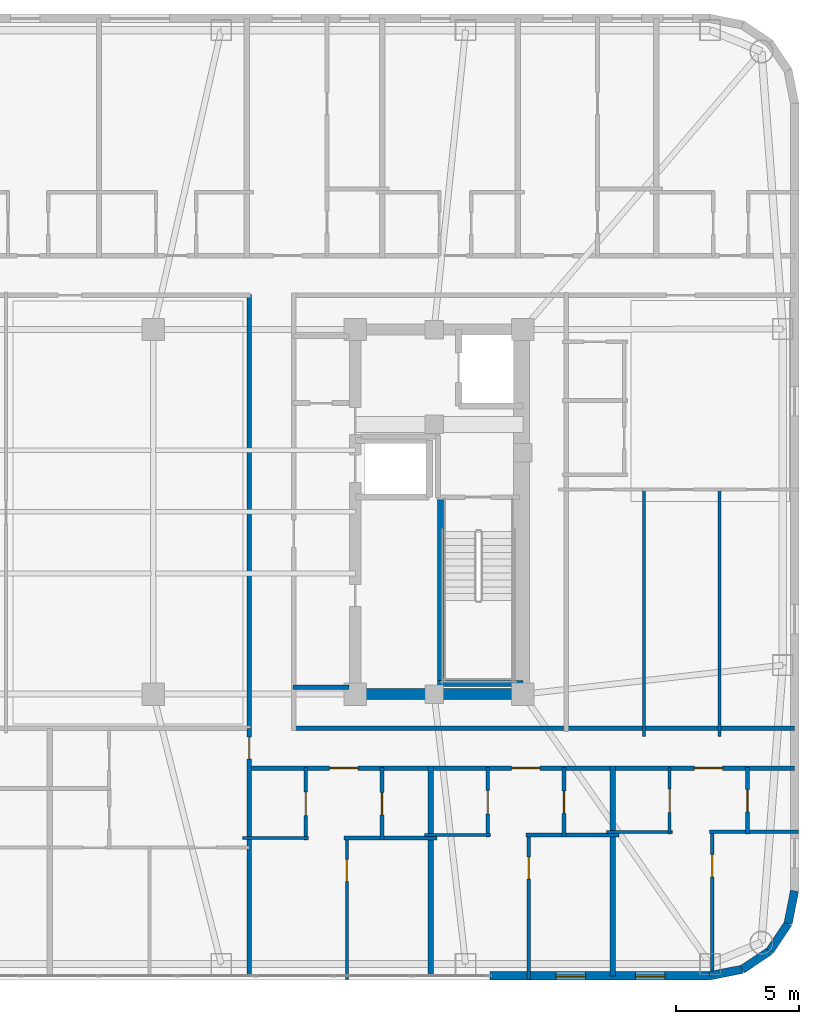
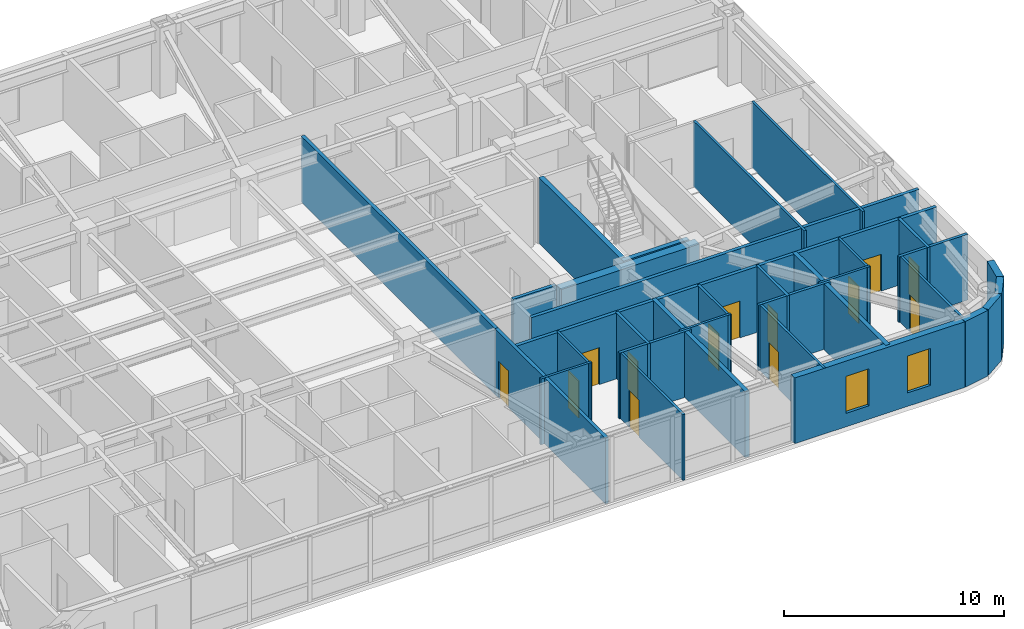
# One storey, part 11 of 16: 32 walls, 13 doors, 2 windows, 15 openings.
"""IFC4 building model written with IfcOpenShell, lengths in metres."""

from ifc_helpers import new_model, si_unit, direction, frame, frame_2d, origin, place, context, subcontext, project, spatial, rectangle, extrude, material, layer, layer_set, type_object, element, fill, save


model = new_model("IFC4")

# Units and contexts
model_context = context("Model", 3, precision=1e-05, world=origin(), true_north=direction((0.0, 1.0)))
body_context = subcontext(model_context, "Body", "Model", "MODEL_VIEW")
ifc_project = project(units=[si_unit("LENGTHUNIT", "METRE"), si_unit("AREAUNIT", "SQUARE_METRE"), si_unit("VOLUMEUNIT", "CUBIC_METRE"), si_unit("PLANEANGLEUNIT", "RADIAN"), si_unit("MASSUNIT", "GRAM", prefix="KILO")], contexts=[model_context])

# Site, building, storey
site_placement = place(None, origin())
site = spatial("IfcSite", under=ifc_project, at=site_placement, CompositionType="ELEMENT")
building_placement = place(site_placement, origin())
building = spatial("IfcBuilding", under=site, at=building_placement, Name="Voryun Gate Residences", CompositionType="ELEMENT")
storey_placement = place(building_placement, frame((0.0, 0.0, 208.0)))
storey = spatial("IfcBuildingStorey", under=building, at=storey_placement, Name="L51", CompositionType="ELEMENT", Elevation=208.0)

# Walls
ifc_material_1 = material(Name="Concrete C50/60", Category="concrete")
ifc_layer_1 = layer(ifc_material_1, 0.449951171875, Name="CW_CORE_450")
ifc_layer_set_1 = layer_set([ifc_layer_1], Name="Concrete C50/60")
wall_type_1 = type_object("IfcWallType", Name="CW_CORE_450", PredefinedType="SHEAR", material=ifc_layer_set_1)
wall_1_placement = place(storey_placement, frame((12.175048828125, -7.39990234375, 0.0), z_axis=(0.0, 0.0, 1.0), x_axis=(1.0, 0.0, 0.0)))
element("IfcWall", 1, at=wall_1_placement, inside=storey, type_object=wall_type_1, Name="L51 Core shear wall CW-L51-ES", PredefinedType="SHEAR", context=body_context, shape_type="SweptSolid", body=[
    extrude(rectangle(XDim=7.25, YDim=0.449951171875, at=frame_2d((3.625, 0.0))), origin(), (0.0, 0.0, 1.0), 3.64990234375),
])
ifc_material_2 = material(Name="Gypsum acoustic fireboard")
ifc_layer_2 = layer(ifc_material_2, 0.179931640625, Name="W_CORR_RATED_180")
ifc_layer_set_2 = layer_set([ifc_layer_2], Name="Gypsum acoustic fireboard")
wall_type_2 = type_object("IfcWallType", Name="W_CORR_RATED_180", PredefinedType="PARTITIONING", material=ifc_layer_set_2)
wall_2_placement = place(storey_placement, frame((9.8798828125, -7.1201171875, 0.0), z_axis=(0.0, 0.0, 1.0), x_axis=(1.0, 0.0, 0.0)))
element("IfcWall", 2, at=wall_2_placement, inside=storey, type_object=wall_type_2, Name="Partition wall WP-L51-PLBS-E", PredefinedType="PARTITIONING", context=body_context, shape_type="SweptSolid", body=[
    extrude(rectangle(XDim=2.27001953125, YDim=0.179931640625, at=frame_2d((1.135009765625, 0.0))), origin(), (0.0, 0.0, 1.0), 3.64990234375),
])
wall_3_placement = place(storey_placement, frame((9.8798828125, -8.7900390625, 0.0), z_axis=(0.0, 0.0, 1.0), x_axis=(1.0, 0.0, 0.0)))
element("IfcWall", 3, at=wall_3_placement, inside=storey, type_object=wall_type_2, Name="Partition wall WP-L51-CWING-ES", PredefinedType="PARTITIONING", context=body_context, shape_type="SweptSolid", body=[
    extrude(rectangle(XDim=20.35009765625, YDim=0.179931640625, at=frame_2d((10.175048828125, 0.0))), origin(), (0.0, 0.0, 1.0), 3.64990234375),
])
wall_4_placement = place(storey_placement, frame((8.10009765625, -8.830078125, 0.0), z_axis=(0.0, 0.0, 1.0), x_axis=(0.0, 1.0, 0.0)))
element("IfcWall", 4, at=wall_4_placement, inside=storey, type_object=wall_type_2, Name="Partition wall WP-L51-Z3E", PredefinedType="PARTITIONING", context=body_context, shape_type="SweptSolid", body=[
    extrude(rectangle(XDim=17.66015625, YDim=0.179931640625, at=frame_2d((8.830078125, 0.0))), origin(), (0.0, 0.0, 1.0), 3.64990234375),
])

# Wall, openings, doors
wall_5_placement = place(storey_placement, frame((8.080078125, -10.39990234375, 0.0), z_axis=(0.0, 0.0, 1.0), x_axis=(1.0, 0.0, 0.0)))
wall_5 = element("IfcWall", 5, at=wall_5_placement, inside=storey, type_object=wall_type_2, Name="Partition wall WP-L51-SCORR-E", PredefinedType="PARTITIONING", context=body_context, shape_type="SweptSolid", body=[
    extrude(rectangle(XDim=22.14990234375, YDim=0.179931640625, at=frame_2d((11.074951171875, 0.0))), origin(), (0.0, 0.0, 1.0), 3.64990234375),
])
opening_1_placement = place(wall_5_placement, frame((3.283447265625, 0.0, 0.0)))
opening_1 = element("IfcOpeningElement", 6, at=opening_1_placement, cuts=wall_5, Name="Opening D-UNIT-1", PredefinedType="OPENING", context=body_context, shape_type="SweptSolid", body=[
    extrude(rectangle(XDim=1.14990234375, YDim=2.050048828125, at=frame_2d((0.574951171875, 1.02490234375))), frame((0.0, 0.099853515625, 0.0), z_axis=(0.0, -1.0, 0.0), x_axis=(1.0, 0.0, 0.0)), (0.0, 0.0, 1.0), 0.199951171875),
])
opening_2_placement = place(wall_5_placement, frame((10.668212890625, 0.0, 0.0)))
opening_2 = element("IfcOpeningElement", 7, at=opening_2_placement, cuts=wall_5, Name="Opening D-UNIT-1", PredefinedType="OPENING", context=body_context, shape_type="SweptSolid", body=[
    extrude(rectangle(XDim=1.14990234375, YDim=2.050048828125, at=frame_2d((0.574951171875, 1.02490234375))), frame((0.0, 0.099853515625, 0.0), z_axis=(0.0, -1.0, 0.0), x_axis=(1.0, 0.0, 0.0)), (0.0, 0.0, 1.0), 0.199951171875),
])
opening_3_placement = place(wall_5_placement, frame((18.084228515625, 0.0, 0.0)))
opening_3 = element("IfcOpeningElement", 8, at=opening_3_placement, cuts=wall_5, Name="Opening D-UNIT-1", PredefinedType="OPENING", context=body_context, shape_type="SweptSolid", body=[
    extrude(rectangle(XDim=1.14990234375, YDim=2.050048828125, at=frame_2d((0.574951171875, 1.02490234375))), frame((0.0, 0.099853515625, 0.0), z_axis=(0.0, -1.0, 0.0), x_axis=(1.0, 0.0, 0.0)), (0.0, 0.0, 1.0), 0.199951171875),
])
ifc_material_3 = material(Name="Armoured timber-clad fire door", Category="wood")
door_type_1 = type_object("IfcDoorType", Name="DR_UNIT_ENTRY_1150", OperationType="NOTDEFINED", PredefinedType="DOOR", material=ifc_material_3)
door_1_placement = place(opening_1_placement, origin())
door_1 = element("IfcDoor", 9, at=door_1_placement, inside=storey, type_object=door_type_1, Name="Door DR-L51-SENT-5", OperationType="SINGLE_SWING_RIGHT", OverallHeight=2.050048828125, OverallWidth=1.14990234375, PredefinedType="DOOR", context=body_context, shape_type="SweptSolid", body=[
    extrude(rectangle(XDim=1.14990234375, YDim=2.050048828125, at=frame_2d((0.574951171875, 1.02490234375))), frame((0.0, 0.02490234375, 0.0), z_axis=(0.0, -1.0, 0.0), x_axis=(1.0, 0.0, 0.0)), (0.0, 0.0, 1.0), 0.050048828125),
])
fill(opening_1, door_1)
door_2_placement = place(opening_2_placement, origin())
door_2 = element("IfcDoor", 10, at=door_2_placement, inside=storey, type_object=door_type_1, Name="Door DR-L51-SENT-6", OperationType="SINGLE_SWING_LEFT", OverallHeight=2.050048828125, OverallWidth=1.14990234375, PredefinedType="DOOR", context=body_context, shape_type="SweptSolid", body=[
    extrude(rectangle(XDim=1.14990234375, YDim=2.050048828125, at=frame_2d((0.574951171875, 1.02490234375))), frame((0.0, 0.02490234375, 0.0), z_axis=(0.0, -1.0, 0.0), x_axis=(1.0, 0.0, 0.0)), (0.0, 0.0, 1.0), 0.050048828125),
])
fill(opening_2, door_2)
door_3_placement = place(opening_3_placement, origin())
door_3 = element("IfcDoor", 11, at=door_3_placement, inside=storey, type_object=door_type_1, Name="Door DR-L51-SENT-7", OperationType="SINGLE_SWING_RIGHT", OverallHeight=2.050048828125, OverallWidth=1.14990234375, PredefinedType="DOOR", context=body_context, shape_type="SweptSolid", body=[
    extrude(rectangle(XDim=1.14990234375, YDim=2.050048828125, at=frame_2d((0.574951171875, 1.02490234375))), frame((0.0, 0.02490234375, 0.0), z_axis=(0.0, -1.0, 0.0), x_axis=(1.0, 0.0, 0.0)), (0.0, 0.0, 1.0), 0.050048828125),
])
fill(opening_3, door_3)

# Wall, opening, door
wall_6_placement = place(storey_placement, frame((8.10009765625, -18.830078125, 0.0), z_axis=(0.0, 0.0, 1.0), x_axis=(0.0, 1.0, 0.0)))
wall_6 = element("IfcWall", 12, at=wall_6_placement, inside=storey, type_object=wall_type_2, Name="Partition wall WP-L51-SZV-2", PredefinedType="PARTITIONING", context=body_context, shape_type="SweptSolid", body=[
    extrude(rectangle(XDim=10.0400390625, YDim=0.179931640625, at=frame_2d((5.02001953125, 0.0))), origin(), (0.0, 0.0, 1.0), 3.64990234375),
])
opening_4_placement = place(wall_6_placement, frame((8.789794921875, 0.0, 0.0)))
opening_4 = element("IfcOpeningElement", 13, at=opening_4_placement, cuts=wall_6, Name="Opening D-INT-2", PredefinedType="OPENING", context=body_context, shape_type="SweptSolid", body=[
    extrude(rectangle(XDim=0.89990234375, YDim=2.050048828125, at=frame_2d((0.449951171875, 1.02490234375))), frame((0.0, 0.099853515625, 0.0), z_axis=(0.0, -1.0, 0.0), x_axis=(1.0, 0.0, 0.0)), (0.0, 0.0, 1.0), 0.199951171875),
])
ifc_material_4 = material(Name="Architectural oak veneer")
door_type_2 = type_object("IfcDoorType", Name="DR_INT_BATH_900", OperationType="NOTDEFINED", PredefinedType="DOOR", material=ifc_material_4)
door_4_placement = place(opening_4_placement, origin())
door_4 = element("IfcDoor", 14, at=door_4_placement, inside=storey, type_object=door_type_2, Name="Door DR-L51-SZENT-2", OperationType="SINGLE_SWING_RIGHT", OverallHeight=2.050048828125, OverallWidth=0.89990234375, PredefinedType="DOOR", context=body_context, shape_type="SweptSolid", body=[
    extrude(rectangle(XDim=0.89990234375, YDim=2.050048828125, at=frame_2d((0.449951171875, 1.02490234375))), frame((0.0, 0.02490234375, 0.0), z_axis=(0.0, -1.0, 0.0), x_axis=(1.0, 0.0, 0.0)), (0.0, 0.0, 1.0), 0.050048828125),
])
fill(opening_4, door_4)

# Wall, openings, windows
ifc_material_5 = material(Name="Charcoal terracotta masonry", Category="masonry")
ifc_layer_3 = layer(ifc_material_5, 0.340087890625, Name="W_EXT_TERRACOTTA_340")
ifc_layer_set_3 = layer_set([ifc_layer_3], Name="Charcoal terracotta masonry")
wall_type_3 = type_object("IfcWallType", Name="W_EXT_TERRACOTTA_340", PredefinedType="ELEMENTEDWALL", material=ifc_layer_set_3)
wall_7_placement = place(storey_placement, frame((26.783203125, -18.830078125, 0.0), z_axis=(0.0, 0.0, 1.0), x_axis=(-1.0, 0.0, 0.0)))
wall_7 = element("IfcWall", 15, at=wall_7_placement, inside=storey, type_object=wall_type_3, Name="Exterior wall WEXT-L51-01A", PredefinedType="ELEMENTEDWALL", context=body_context, shape_type="SweptSolid", body=[
    extrude(rectangle(XDim=8.921875, YDim=0.340087890625, at=frame_2d((4.4609375, 0.0))), origin(), (0.0, 0.0, 1.0), 3.64990234375),
])
opening_5_placement = place(wall_7_placement, frame((5.037353515625, 0.0, 0.75)))
opening_5 = element("IfcOpeningElement", 16, at=opening_5_placement, cuts=wall_7, Name="Opening WN6", PredefinedType="OPENING", context=body_context, shape_type="SweptSolid", body=[
    extrude(rectangle(XDim=1.199951171875, YDim=2.050048828125, at=frame_2d((0.60009765625, 1.02490234375))), frame((0.0, 0.179931640625, 0.0), z_axis=(0.0, -1.0, 0.0), x_axis=(1.0, 0.0, 0.0)), (0.0, 0.0, 1.0), 0.360107421875),
])
opening_6_placement = place(wall_7_placement, frame((1.81103515625, 0.0, 0.75)))
opening_6 = element("IfcOpeningElement", 17, at=opening_6_placement, cuts=wall_7, Name="Opening WN6", PredefinedType="OPENING", context=body_context, shape_type="SweptSolid", body=[
    extrude(rectangle(XDim=1.199951171875, YDim=2.050048828125, at=frame_2d((0.60009765625, 1.02490234375))), frame((0.0, 0.179931640625, 0.0), z_axis=(0.0, -1.0, 0.0), x_axis=(1.0, 0.0, 0.0)), (0.0, 0.0, 1.0), 0.360107421875),
])
ifc_material_6 = material(Name="Laminated low-E glass", Category="glass")
window_type = type_object("IfcWindowType", Name="WN_POD_SLOT_1200", PartitioningType="SINGLE_PANEL", PredefinedType="WINDOW", material=ifc_material_6)
window_1_placement = place(opening_5_placement, origin())
window_1 = element("IfcWindow", 18, at=window_1_placement, inside=storey, type_object=window_type, Name="Window WN-L51-DWFIX-16", OverallHeight=2.050048828125, OverallWidth=1.199951171875, PartitioningType="SINGLE_PANEL", PredefinedType="WINDOW", context=body_context, shape_type="SweptSolid", body=[
    extrude(rectangle(XDim=1.199951171875, YDim=2.050048828125, at=frame_2d((0.60009765625, 1.02490234375))), frame((0.0, 0.030029296875, 0.0), z_axis=(0.0, -1.0, 0.0), x_axis=(1.0, 0.0, 0.0)), (0.0, 0.0, 1.0), 0.06005859375),
])
fill(opening_5, window_1)
window_2_placement = place(opening_6_placement, origin())
window_2 = element("IfcWindow", 19, at=window_2_placement, inside=storey, type_object=window_type, Name="Window WN-L51-DWFIX-17", OverallHeight=2.050048828125, OverallWidth=1.199951171875, PartitioningType="SINGLE_PANEL", PredefinedType="WINDOW", context=body_context, shape_type="SweptSolid", body=[
    extrude(rectangle(XDim=1.199951171875, YDim=2.050048828125, at=frame_2d((0.60009765625, 1.02490234375))), frame((0.0, 0.030029296875, 0.0), z_axis=(0.0, -1.0, 0.0), x_axis=(1.0, 0.0, 0.0)), (0.0, 0.0, 1.0), 0.06005859375),
])
fill(opening_6, window_2)

# Walls
wall_8_placement = place(storey_placement, frame((30.22998046875, -15.38330078125, 0.0), z_axis=(0.0, 0.0, 1.0), x_axis=(-0.195110379894, -0.98078129043, 0.0)))
element("IfcWall", 20, at=wall_8_placement, inside=storey, type_object=wall_type_3, Name="Exterior wall WEXT-L51-17", PredefinedType="ELEMENTEDWALL", context=body_context, shape_type="SweptSolid", body=[
    extrude(rectangle(XDim=1.35400390625, YDim=0.340087890625, at=frame_2d((0.677001953125, 0.0))), origin(), (0.0, 0.0, 1.0), 3.64990234375),
])
wall_9_placement = place(storey_placement, frame((29.9658203125, -16.711181640625, 0.0), z_axis=(0.0, 0.0, 1.0), x_axis=(-0.555584683399, -0.831459956686, 0.0)))
element("IfcWall", 21, at=wall_9_placement, inside=storey, type_object=wall_type_3, Name="Exterior wall WEXT-L51-18", PredefinedType="ELEMENTEDWALL", context=body_context, shape_type="SweptSolid", body=[
    extrude(rectangle(XDim=1.337158203125, YDim=0.340087890625, at=frame_2d((0.66845703125, 0.0))), origin(), (0.0, 0.0, 1.0), 3.64990234375),
])
wall_10_placement = place(storey_placement, frame((29.222900390625, -17.822998046875, 0.0), z_axis=(0.0, 0.0, 1.0), x_axis=(-0.831403586725, -0.555669034571, 0.0)))
element("IfcWall", 22, at=wall_10_placement, inside=storey, type_object=wall_type_3, Name="Exterior wall WEXT-L51-19", PredefinedType="ELEMENTEDWALL", context=body_context, shape_type="SweptSolid", body=[
    extrude(rectangle(XDim=1.3369140625, YDim=0.340087890625, at=frame_2d((0.66845703125, 0.0))), origin(), (0.0, 0.0, 1.0), 3.64990234375),
])
wall_11_placement = place(storey_placement, frame((28.111328125, -18.56591796875, 0.0), z_axis=(0.0, 0.0, 1.0), x_axis=(-0.980788153188, -0.195075878998, 0.0)))
element("IfcWall", 23, at=wall_11_placement, inside=storey, type_object=wall_type_3, Name="Exterior wall WEXT-L51-20", PredefinedType="ELEMENTEDWALL", context=body_context, shape_type="SweptSolid", body=[
    extrude(rectangle(XDim=1.354248046875, YDim=0.340087890625, at=frame_2d((0.67724609375, 0.0))), origin(), (0.0, 0.0, 1.0), 3.64990234375),
])
ifc_material_7 = material(Name="Concrete C40/50", Category="concrete")
ifc_layer_4 = layer(ifc_material_7, 0.219970703125, Name="W_PARTY_ACOUSTIC_220")
ifc_layer_set_4 = layer_set([ifc_layer_4], Name="Concrete C40/50")
wall_type_4 = type_object("IfcWallType", Name="W_PARTY_ACOUSTIC_220", PredefinedType="PARTITIONING", material=ifc_layer_set_4)
for number, where, z_axis, x_axis, name in (
    (24, (15.466064453125, -18.830078125, 0.0), (0.0, 0.0, 1.0), (0.0, 1.0, 0.0), "Partition wall WP-L51-SPTY-5"),
    (25, (22.85107421875, -18.830078125, 0.0), (0.0, 0.0, 1.0), (0.0, 1.0, 0.0), "Partition wall WP-L51-SPTY-6"),
):
    element("IfcWall", number, at=place(storey_placement, frame(where, z_axis=z_axis, x_axis=x_axis)), inside=storey, type_object=wall_type_4, Name=name, PredefinedType="PARTITIONING", context=body_context, shape_type="SweptSolid", body=[
        extrude(rectangle(XDim=8.510009765625, YDim=0.219970703125, at=frame_2d((4.2548828125, 0.0))), origin(), (0.0, 0.0, 1.0), 3.64990234375),
    ])
ifc_material_8 = material(Name="Concrete C50/60", Category="concrete")
ifc_layer_5 = layer(ifc_material_8, 0.25, Name="W_SHAFT_RC250")
ifc_layer_set_5 = layer_set([ifc_layer_5], Name="Concrete C50/60")
wall_type_5 = type_object("IfcWallType", Name="W_SHAFT_RC250", PredefinedType="SOLIDWALL", material=ifc_layer_set_5)
wall_12_placement = place(storey_placement, frame((15.860107421875, -7.0849609375, 0.0), z_axis=(0.0, 0.0, 1.0), x_axis=(0.0, 1.0, 0.0)))
element("IfcWall", 26, at=wall_12_placement, inside=storey, type_object=wall_type_5, Name="L51 Stair shaft structural wall E-STL", PredefinedType="SOLIDWALL", context=body_context, shape_type="SweptSolid", body=[
    extrude(rectangle(XDim=7.68505859375, YDim=0.25, at=frame_2d((3.842529296875, 0.0))), origin(), (0.0, 0.0, 1.0), 3.64990234375),
])
wall_13_placement = place(storey_placement, frame((15.739990234375, -6.965087890625, 0.0), z_axis=(0.0, 0.0, 1.0), x_axis=(1.0, 0.0, 0.0)))
element("IfcWall", 27, at=wall_13_placement, inside=storey, type_object=wall_type_5, Name="L51 Stair shaft structural wall E-STS", PredefinedType="SOLIDWALL", context=body_context, shape_type="SweptSolid", body=[
    extrude(rectangle(XDim=3.4599609375, YDim=0.25, at=frame_2d((1.72998046875, 0.0))), origin(), (0.0, 0.0, 1.0), 3.64990234375),
])

# Wall, opening, door
ifc_material_9 = material(Name="Gypsum acoustic partition")
ifc_layer_6 = layer(ifc_material_9, 0.125, Name="W_UNIT_PART_125")
ifc_layer_set_6 = layer_set([ifc_layer_6], Name="Gypsum acoustic partition")
wall_type_6 = type_object("IfcWallType", Name="W_UNIT_PART_125", PredefinedType="PARTITIONING", material=ifc_layer_set_6)
wall_14_placement = place(storey_placement, frame((12.055908203125, -18.97998046875, 0.0), z_axis=(0.0, 0.0, 1.0), x_axis=(0.0, 1.0, 0.0)))
wall_14 = element("IfcWall", 28, at=wall_14_placement, inside=storey, type_object=wall_type_6, Name="Partition wall WP-L51-S5-OVR", PredefinedType="PARTITIONING", context=body_context, shape_type="SweptSolid", body=[
    extrude(rectangle(XDim=5.820068359375, YDim=0.125, at=frame_2d((2.91015625, 0.0))), origin(), (0.0, 0.0, 1.0), 3.64990234375),
])
opening_7_placement = place(wall_14_placement, frame((3.97314453125, 0.0, 0.0)))
opening_7 = element("IfcOpeningElement", 29, at=opening_7_placement, cuts=wall_14, Name="Opening D-INT-2", PredefinedType="OPENING", context=body_context, shape_type="SweptSolid", body=[
    extrude(rectangle(XDim=0.89990234375, YDim=2.050048828125, at=frame_2d((0.449951171875, 1.02490234375))), frame((0.0, 0.072509765625, 0.0), z_axis=(0.0, -1.0, 0.0), x_axis=(1.0, 0.0, 0.0)), (0.0, 0.0, 1.0), 0.14501953125),
])
door_5_placement = place(opening_7_placement, origin())
door_5 = element("IfcDoor", 30, at=door_5_placement, inside=storey, type_object=door_type_2, Name="Door DR-L51-S5-DMB", OperationType="SINGLE_SWING_RIGHT", OverallHeight=2.050048828125, OverallWidth=0.89990234375, PredefinedType="DOOR", context=body_context, shape_type="SweptSolid", body=[
    extrude(rectangle(XDim=0.89990234375, YDim=2.050048828125, at=frame_2d((0.449951171875, 1.02490234375))), frame((0.0, 0.02490234375, 0.0), z_axis=(0.0, -1.0, 0.0), x_axis=(1.0, 0.0, 0.0)), (0.0, 0.0, 1.0), 0.050048828125),
])
fill(opening_7, door_5)

wall_15_placement = place(storey_placement, frame((10.389892578125, -13.320068359375, 0.0), z_axis=(0.0, 0.0, 1.0), x_axis=(0.0, 1.0, 0.0)))
wall_15 = element("IfcWall", 31, at=wall_15_placement, inside=storey, type_object=wall_type_6, Name="Partition wall WP-L51-S5-IVK", PredefinedType="PARTITIONING", context=body_context, shape_type="SweptSolid", body=[
    extrude(rectangle(XDim=2.940185546875, YDim=0.125, at=frame_2d((1.47021484375, 0.0))), origin(), (0.0, 0.0, 1.0), 3.64990234375),
])
opening_8_placement = place(wall_15_placement, frame((0.9951171875, 0.0, 0.0)))
opening_8 = element("IfcOpeningElement", 32, at=opening_8_placement, cuts=wall_15, Name="Opening D-INT-1", PredefinedType="OPENING", context=body_context, shape_type="SweptSolid", body=[
    extrude(rectangle(XDim=0.949951171875, YDim=2.050048828125, at=frame_2d((0.47509765625, 1.02490234375))), frame((0.0, 0.072509765625, 0.0), z_axis=(0.0, -1.0, 0.0), x_axis=(1.0, 0.0, 0.0)), (0.0, 0.0, 1.0), 0.14501953125),
])
ifc_material_10 = material(Name="Architectural oak veneer")
door_type_3 = type_object("IfcDoorType", Name="DR_INT_ROOM_950", OperationType="NOTDEFINED", PredefinedType="DOOR", material=ifc_material_10)
door_6_placement = place(opening_8_placement, origin())
door_6 = element("IfcDoor", 33, at=door_6_placement, inside=storey, type_object=door_type_3, Name="Door DR-L51-S5-DK", OperationType="SINGLE_SWING_LEFT", OverallHeight=2.050048828125, OverallWidth=0.949951171875, PredefinedType="DOOR", context=body_context, shape_type="SweptSolid", body=[
    extrude(rectangle(XDim=0.949951171875, YDim=2.050048828125, at=frame_2d((0.47509765625, 1.02490234375))), frame((0.0, 0.02490234375, 0.0), z_axis=(0.0, -1.0, 0.0), x_axis=(1.0, 0.0, 0.0)), (0.0, 0.0, 1.0), 0.050048828125),
])
fill(opening_8, door_6)

# Wall
wall_16_placement = place(storey_placement, frame((7.820068359375, -13.239990234375, 0.0), z_axis=(0.0, 0.0, 1.0), x_axis=(1.0, 0.0, 0.0)))
element("IfcWall", 34, at=wall_16_placement, inside=storey, type_object=wall_type_6, Name="Partition wall WP-L51-S5-HZK", PredefinedType="PARTITIONING", context=body_context, shape_type="SweptSolid", body=[
    extrude(rectangle(XDim=2.68994140625, YDim=0.125, at=frame_2d((1.344970703125, 0.0))), origin(), (0.0, 0.0, 1.0), 3.64990234375),
])

# Wall, opening, door
wall_17_placement = place(storey_placement, frame((19.44091796875, -18.97998046875, 0.0), z_axis=(0.0, 0.0, 1.0), x_axis=(0.0, 1.0, 0.0)))
wall_17 = element("IfcWall", 35, at=wall_17_placement, inside=storey, type_object=wall_type_6, Name="Partition wall WP-L51-S6-OVR", PredefinedType="PARTITIONING", context=body_context, shape_type="SweptSolid", body=[
    extrude(rectangle(XDim=5.947021484375, YDim=0.125, at=frame_2d((2.9736328125, 0.0))), origin(), (0.0, 0.0, 1.0), 3.64990234375),
])
opening_9_placement = place(wall_17_placement, frame((4.069580078125, 0.0, 0.0)))
opening_9 = element("IfcOpeningElement", 36, at=opening_9_placement, cuts=wall_17, Name="Opening D-INT-2", PredefinedType="OPENING", context=body_context, shape_type="SweptSolid", body=[
    extrude(rectangle(XDim=0.89990234375, YDim=2.050048828125, at=frame_2d((0.449951171875, 1.02490234375))), frame((0.0, 0.072509765625, 0.0), z_axis=(0.0, -1.0, 0.0), x_axis=(1.0, 0.0, 0.0)), (0.0, 0.0, 1.0), 0.14501953125),
])
door_7_placement = place(opening_9_placement, origin())
door_7 = element("IfcDoor", 37, at=door_7_placement, inside=storey, type_object=door_type_2, Name="Door DR-L51-S6-DMB", OperationType="SINGLE_SWING_RIGHT", OverallHeight=2.050048828125, OverallWidth=0.89990234375, PredefinedType="DOOR", context=body_context, shape_type="SweptSolid", body=[
    extrude(rectangle(XDim=0.89990234375, YDim=2.050048828125, at=frame_2d((0.449951171875, 1.02490234375))), frame((0.0, 0.02490234375, 0.0), z_axis=(0.0, -1.0, 0.0), x_axis=(1.0, 0.0, 0.0)), (0.0, 0.0, 1.0), 0.050048828125),
])
fill(opening_9, door_7)

wall_18_placement = place(storey_placement, frame((17.77587890625, -13.193115234375, 0.0), z_axis=(0.0, 0.0, 1.0), x_axis=(0.0, 1.0, 0.0)))
wall_18 = element("IfcWall", 38, at=wall_18_placement, inside=storey, type_object=wall_type_6, Name="Partition wall WP-L51-S6-IVK", PredefinedType="PARTITIONING", context=body_context, shape_type="SweptSolid", body=[
    extrude(rectangle(XDim=2.813232421875, YDim=0.125, at=frame_2d((1.40673828125, 0.0))), origin(), (0.0, 0.0, 1.0), 3.64990234375),
])
opening_10_placement = place(wall_18_placement, frame((0.931396484375, 0.0, 0.0)))
opening_10 = element("IfcOpeningElement", 39, at=opening_10_placement, cuts=wall_18, Name="Opening D-INT-1", PredefinedType="OPENING", context=body_context, shape_type="SweptSolid", body=[
    extrude(rectangle(XDim=0.949951171875, YDim=2.050048828125, at=frame_2d((0.47509765625, 1.02490234375))), frame((0.0, 0.072509765625, 0.0), z_axis=(0.0, -1.0, 0.0), x_axis=(1.0, 0.0, 0.0)), (0.0, 0.0, 1.0), 0.14501953125),
])
door_8_placement = place(opening_10_placement, origin())
door_8 = element("IfcDoor", 40, at=door_8_placement, inside=storey, type_object=door_type_3, Name="Door DR-L51-S6-DK", OperationType="SINGLE_SWING_LEFT", OverallHeight=2.050048828125, OverallWidth=0.949951171875, PredefinedType="DOOR", context=body_context, shape_type="SweptSolid", body=[
    extrude(rectangle(XDim=0.949951171875, YDim=2.050048828125, at=frame_2d((0.47509765625, 1.02490234375))), frame((0.0, 0.02490234375, 0.0), z_axis=(0.0, -1.0, 0.0), x_axis=(1.0, 0.0, 0.0)), (0.0, 0.0, 1.0), 0.050048828125),
])
fill(opening_10, door_8)

# Wall
wall_19_placement = place(storey_placement, frame((15.2060546875, -13.113037109375, 0.0), z_axis=(0.0, 0.0, 1.0), x_axis=(1.0, 0.0, 0.0)))
element("IfcWall", 41, at=wall_19_placement, inside=storey, type_object=wall_type_6, Name="Partition wall WP-L51-S6-HZK", PredefinedType="PARTITIONING", context=body_context, shape_type="SweptSolid", body=[
    extrude(rectangle(XDim=2.68994140625, YDim=0.125, at=frame_2d((1.344970703125, 0.0))), origin(), (0.0, 0.0, 1.0), 3.64990234375),
])

# Wall, opening, door
wall_20_placement = place(storey_placement, frame((26.886962890625, -18.96240234375, 0.0), z_axis=(0.0, 0.0, 1.0), x_axis=(0.0, 1.0, 0.0)))
wall_20 = element("IfcWall", 42, at=wall_20_placement, inside=storey, type_object=wall_type_6, Name="Partition wall WP-L51-S7-OVR", PredefinedType="PARTITIONING", context=body_context, shape_type="SweptSolid", body=[
    extrude(rectangle(XDim=6.055419921875, YDim=0.125, at=frame_2d((3.02783203125, 0.0))), origin(), (0.0, 0.0, 1.0), 3.64990234375),
])
opening_11_placement = place(wall_20_placement, frame((4.152099609375, 0.0, 0.0)))
opening_11 = element("IfcOpeningElement", 43, at=opening_11_placement, cuts=wall_20, Name="Opening D-INT-2", PredefinedType="OPENING", context=body_context, shape_type="SweptSolid", body=[
    extrude(rectangle(XDim=0.89990234375, YDim=2.050048828125, at=frame_2d((0.449951171875, 1.02490234375))), frame((0.0, 0.072509765625, 0.0), z_axis=(0.0, -1.0, 0.0), x_axis=(1.0, 0.0, 0.0)), (0.0, 0.0, 1.0), 0.14501953125),
])
door_9_placement = place(opening_11_placement, origin())
door_9 = element("IfcDoor", 44, at=door_9_placement, inside=storey, type_object=door_type_2, Name="Door DR-L51-S7-DMB", OperationType="SINGLE_SWING_RIGHT", OverallHeight=2.050048828125, OverallWidth=0.89990234375, PredefinedType="DOOR", context=body_context, shape_type="SweptSolid", body=[
    extrude(rectangle(XDim=0.89990234375, YDim=2.050048828125, at=frame_2d((0.449951171875, 1.02490234375))), frame((0.0, 0.02490234375, 0.0), z_axis=(0.0, -1.0, 0.0), x_axis=(1.0, 0.0, 0.0)), (0.0, 0.0, 1.0), 0.050048828125),
])
fill(opening_11, door_9)

wall_21_placement = place(storey_placement, frame((25.160888671875, -13.06689453125, 0.0), z_axis=(0.0, 0.0, 1.0), x_axis=(0.0, 1.0, 0.0)))
wall_21 = element("IfcWall", 45, at=wall_21_placement, inside=storey, type_object=wall_type_6, Name="Partition wall WP-L51-S7-IVK", PredefinedType="PARTITIONING", context=body_context, shape_type="SweptSolid", body=[
    extrude(rectangle(XDim=2.68701171875, YDim=0.125, at=frame_2d((1.343505859375, 0.0))), origin(), (0.0, 0.0, 1.0), 3.64990234375),
])
opening_12_placement = place(wall_21_placement, frame((0.868408203125, 0.0, 0.0)))
opening_12 = element("IfcOpeningElement", 46, at=opening_12_placement, cuts=wall_21, Name="Opening D-INT-1", PredefinedType="OPENING", context=body_context, shape_type="SweptSolid", body=[
    extrude(rectangle(XDim=0.949951171875, YDim=2.050048828125, at=frame_2d((0.47509765625, 1.02490234375))), frame((0.0, 0.072509765625, 0.0), z_axis=(0.0, -1.0, 0.0), x_axis=(1.0, 0.0, 0.0)), (0.0, 0.0, 1.0), 0.14501953125),
])
door_10_placement = place(opening_12_placement, origin())
door_10 = element("IfcDoor", 47, at=door_10_placement, inside=storey, type_object=door_type_3, Name="Door DR-L51-S7-DK", OperationType="SINGLE_SWING_LEFT", OverallHeight=2.050048828125, OverallWidth=0.949951171875, PredefinedType="DOOR", context=body_context, shape_type="SweptSolid", body=[
    extrude(rectangle(XDim=0.949951171875, YDim=2.050048828125, at=frame_2d((0.47509765625, 1.02490234375))), frame((0.0, 0.02490234375, 0.0), z_axis=(0.0, -1.0, 0.0), x_axis=(1.0, 0.0, 0.0)), (0.0, 0.0, 1.0), 0.050048828125),
])
fill(opening_12, door_10)

# Walls
wall_22_placement = place(storey_placement, frame((22.591064453125, -12.987060546875, 0.0), z_axis=(0.0, 0.0, 1.0), x_axis=(1.0, 0.0, 0.0)))
element("IfcWall", 48, at=wall_22_placement, inside=storey, type_object=wall_type_6, Name="Partition wall WP-L51-S7-HZK", PredefinedType="PARTITIONING", context=body_context, shape_type="SweptSolid", body=[
    extrude(rectangle(XDim=2.68994140625, YDim=0.125, at=frame_2d((1.344970703125, 0.0))), origin(), (0.0, 0.0, 1.0), 3.64990234375),
])
for number, where, z_axis, x_axis, name in (
    (49, (27.178955078125, -9.110107421875, 0.0), (0.0, 0.0, 1.0), (0.0, 1.0, 0.0), "Partition wall WP-L51-E1-VMB2"),
    (50, (24.12109375, -9.110107421875, 0.0), (0.0, 0.0, 1.0), (0.0, 1.0, 0.0), "Partition wall WP-L51-E1-VMB"),
):
    element("IfcWall", number, at=place(storey_placement, frame(where, z_axis=z_axis, x_axis=x_axis)), inside=storey, type_object=wall_type_6, Name=name, PredefinedType="PARTITIONING", context=body_context, shape_type="SweptSolid", body=[
        extrude(rectangle(XDim=10.080078125, YDim=0.125, at=frame_2d((5.0400390625, 0.0))), origin(), (0.0, 0.0, 1.0), 3.64990234375),
    ])
ifc_material_11 = material(Name="Gypsum moisture-resistant partition")
ifc_layer_7 = layer(ifc_material_11, 0.14990234375, Name="W_WET_PLUMB_150")
ifc_layer_set_7 = layer_set([ifc_layer_7], Name="Gypsum moisture-resistant partition")
wall_type_7 = type_object("IfcWallType", Name="W_WET_PLUMB_150", PredefinedType="PLUMBINGWALL", material=ifc_layer_set_7)
wall_23_placement = place(storey_placement, frame((11.93603515625, -13.239990234375, 0.0), z_axis=(0.0, 0.0, 1.0), x_axis=(1.0, 0.0, 0.0)))
element("IfcWall", 51, at=wall_23_placement, inside=storey, type_object=wall_type_7, Name="Partition wall WP-L51-S5-HZB", PredefinedType="PLUMBINGWALL", context=body_context, shape_type="SweptSolid", body=[
    extrude(rectangle(XDim=3.7900390625, YDim=0.14990234375, at=frame_2d((1.89501953125, 0.0))), origin(), (0.0, 0.0, 1.0), 3.64990234375),
])

# Wall, opening, door
wall_24_placement = place(storey_placement, frame((13.486083984375, -13.320068359375, 0.0), z_axis=(0.0, 0.0, 1.0), x_axis=(0.0, 1.0, 0.0)))
wall_24 = element("IfcWall", 52, at=wall_24_placement, inside=storey, type_object=wall_type_7, Name="Partition wall WP-L51-S5-IVB", PredefinedType="PLUMBINGWALL", context=body_context, shape_type="SweptSolid", body=[
    extrude(rectangle(XDim=2.940185546875, YDim=0.14990234375, at=frame_2d((1.47021484375, 0.0))), origin(), (0.0, 0.0, 1.0), 3.64990234375),
])
opening_13_placement = place(wall_24_placement, frame((1.02001953125, 0.0, 0.0)))
opening_13 = element("IfcOpeningElement", 53, at=opening_13_placement, cuts=wall_24, Name="Opening D-INT-2", PredefinedType="OPENING", context=body_context, shape_type="SweptSolid", body=[
    extrude(rectangle(XDim=0.89990234375, YDim=2.050048828125, at=frame_2d((0.449951171875, 1.02490234375))), frame((0.0, 0.0849609375, 0.0), z_axis=(0.0, -1.0, 0.0), x_axis=(1.0, 0.0, 0.0)), (0.0, 0.0, 1.0), 0.169921875),
])
door_11_placement = place(opening_13_placement, origin())
door_11 = element("IfcDoor", 54, at=door_11_placement, inside=storey, type_object=door_type_2, Name="Door DR-L51-S5-DB", OperationType="SINGLE_SWING_RIGHT", OverallHeight=2.050048828125, OverallWidth=0.89990234375, PredefinedType="DOOR", context=body_context, shape_type="SweptSolid", body=[
    extrude(rectangle(XDim=0.89990234375, YDim=2.050048828125, at=frame_2d((0.449951171875, 1.02490234375))), frame((0.0, 0.02490234375, 0.0), z_axis=(0.0, -1.0, 0.0), x_axis=(1.0, 0.0, 0.0)), (0.0, 0.0, 1.0), 0.050048828125),
])
fill(opening_13, door_11)

# Wall
wall_25_placement = place(storey_placement, frame((19.321044921875, -13.113037109375, 0.0), z_axis=(0.0, 0.0, 1.0), x_axis=(1.0, 0.0, 0.0)))
element("IfcWall", 55, at=wall_25_placement, inside=storey, type_object=wall_type_7, Name="Partition wall WP-L51-S6-HZB", PredefinedType="PLUMBINGWALL", context=body_context, shape_type="SweptSolid", body=[
    extrude(rectangle(XDim=3.7900390625, YDim=0.14990234375, at=frame_2d((1.89501953125, 0.0))), origin(), (0.0, 0.0, 1.0), 3.64990234375),
])

# Wall, opening, door
wall_26_placement = place(storey_placement, frame((20.87109375, -13.193115234375, 0.0), z_axis=(0.0, 0.0, 1.0), x_axis=(0.0, 1.0, 0.0)))
wall_26 = element("IfcWall", 56, at=wall_26_placement, inside=storey, type_object=wall_type_7, Name="Partition wall WP-L51-S6-IVB", PredefinedType="PLUMBINGWALL", context=body_context, shape_type="SweptSolid", body=[
    extrude(rectangle(XDim=2.813232421875, YDim=0.14990234375, at=frame_2d((1.40673828125, 0.0))), origin(), (0.0, 0.0, 1.0), 3.64990234375),
])
opening_14_placement = place(wall_26_placement, frame((0.95654296875, 0.0, 0.0)))
opening_14 = element("IfcOpeningElement", 57, at=opening_14_placement, cuts=wall_26, Name="Opening D-INT-2", PredefinedType="OPENING", context=body_context, shape_type="SweptSolid", body=[
    extrude(rectangle(XDim=0.89990234375, YDim=2.050048828125, at=frame_2d((0.449951171875, 1.02490234375))), frame((0.0, 0.0849609375, 0.0), z_axis=(0.0, -1.0, 0.0), x_axis=(1.0, 0.0, 0.0)), (0.0, 0.0, 1.0), 0.169921875),
])
door_12_placement = place(opening_14_placement, origin())
door_12 = element("IfcDoor", 58, at=door_12_placement, inside=storey, type_object=door_type_2, Name="Door DR-L51-S6-DB", OperationType="SINGLE_SWING_RIGHT", OverallHeight=2.050048828125, OverallWidth=0.89990234375, PredefinedType="DOOR", context=body_context, shape_type="SweptSolid", body=[
    extrude(rectangle(XDim=0.89990234375, YDim=2.050048828125, at=frame_2d((0.449951171875, 1.02490234375))), frame((0.0, 0.02490234375, 0.0), z_axis=(0.0, -1.0, 0.0), x_axis=(1.0, 0.0, 0.0)), (0.0, 0.0, 1.0), 0.050048828125),
])
fill(opening_14, door_12)

# Wall
wall_27_placement = place(storey_placement, frame((26.76708984375, -12.987060546875, 0.0), z_axis=(0.0, 0.0, 1.0), x_axis=(1.0, 0.0, 0.0)))
element("IfcWall", 59, at=wall_27_placement, inside=storey, type_object=wall_type_7, Name="Partition wall WP-L51-S7-HZB", PredefinedType="PLUMBINGWALL", context=body_context, shape_type="SweptSolid", body=[
    extrude(rectangle(XDim=3.61279296875, YDim=0.14990234375, at=frame_2d((1.806396484375, 0.0))), origin(), (0.0, 0.0, 1.0), 3.64990234375),
])

# Wall, opening, door
wall_28_placement = place(storey_placement, frame((28.31689453125, -13.06689453125, 0.0), z_axis=(0.0, 0.0, 1.0), x_axis=(0.0, 1.0, 0.0)))
wall_28 = element("IfcWall", 60, at=wall_28_placement, inside=storey, type_object=wall_type_7, Name="Partition wall WP-L51-S7-IVB", PredefinedType="PLUMBINGWALL", context=body_context, shape_type="SweptSolid", body=[
    extrude(rectangle(XDim=2.68701171875, YDim=0.14990234375, at=frame_2d((1.343505859375, 0.0))), origin(), (0.0, 0.0, 1.0), 3.64990234375),
])
opening_15_placement = place(wall_28_placement, frame((0.8935546875, 0.0, 0.0)))
opening_15 = element("IfcOpeningElement", 61, at=opening_15_placement, cuts=wall_28, Name="Opening D-INT-2", PredefinedType="OPENING", context=body_context, shape_type="SweptSolid", body=[
    extrude(rectangle(XDim=0.89990234375, YDim=2.050048828125, at=frame_2d((0.449951171875, 1.02490234375))), frame((0.0, 0.0849609375, 0.0), z_axis=(0.0, -1.0, 0.0), x_axis=(1.0, 0.0, 0.0)), (0.0, 0.0, 1.0), 0.169921875),
])
door_13_placement = place(opening_15_placement, origin())
door_13 = element("IfcDoor", 62, at=door_13_placement, inside=storey, type_object=door_type_2, Name="Door DR-L51-S7-DB", OperationType="SINGLE_SWING_RIGHT", OverallHeight=2.050048828125, OverallWidth=0.89990234375, PredefinedType="DOOR", context=body_context, shape_type="SweptSolid", body=[
    extrude(rectangle(XDim=0.89990234375, YDim=2.050048828125, at=frame_2d((0.449951171875, 1.02490234375))), frame((0.0, 0.02490234375, 0.0), z_axis=(0.0, -1.0, 0.0), x_axis=(1.0, 0.0, 0.0)), (0.0, 0.0, 1.0), 0.050048828125),
])
fill(opening_15, door_13)

save(model, "model.ifc")
